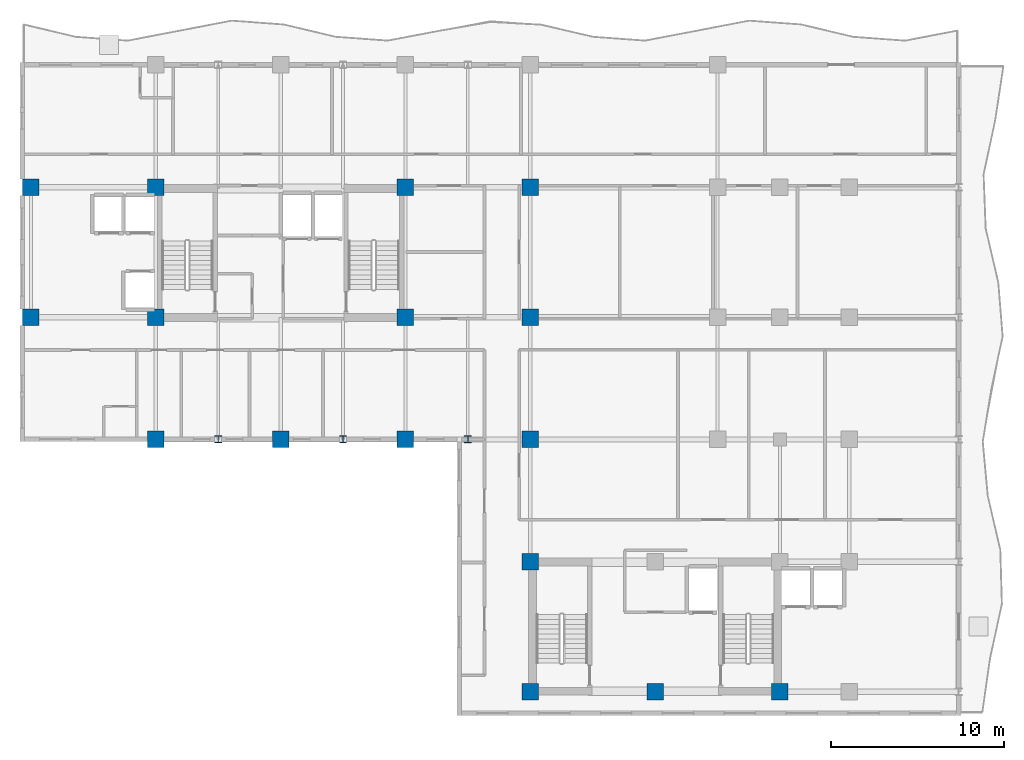
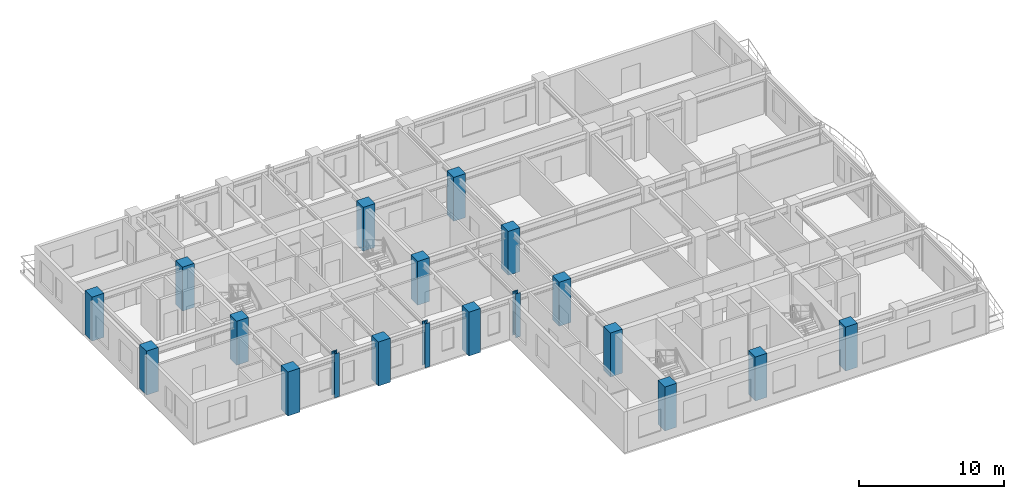
# One storey, part 1 of 13: 19 columns.
"""IFC4 building model written with IfcOpenShell, lengths in metres."""

from ifc_helpers import new_model, si_unit, direction, frame, origin, origin_2d, place, context, subcontext, project, spatial, rectangle, i_section, extrude, source, transform, mapped, material, material_profile, profile_set, type_object, element, save


model = new_model("IFC4")

# Units and contexts
model_context = context("Model", 3, precision=1e-05, world=origin(), true_north=direction((0.0, 1.0)))
body_context = subcontext(model_context, "Body", "Model", "MODEL_VIEW")
ifc_project = project(units=[si_unit("LENGTHUNIT", "METRE"), si_unit("AREAUNIT", "SQUARE_METRE"), si_unit("VOLUMEUNIT", "CUBIC_METRE"), si_unit("PLANEANGLEUNIT", "RADIAN"), si_unit("MASSUNIT", "GRAM", prefix="KILO")], contexts=[model_context])

# Site, building, storey
site_placement = place(None, origin())
site = spatial("IfcSite", under=ifc_project, at=site_placement, CompositionType="ELEMENT")
building_placement = place(site_placement, origin())
building = spatial("IfcBuilding", under=site, at=building_placement, Name="Kaliganga Portal Commons", CompositionType="ELEMENT")
storey_placement = place(building_placement, frame((0.0, 0.0, 209.199951171875)))
storey = spatial("IfcBuildingStorey", under=building, at=storey_placement, Name="L53", CompositionType="ELEMENT", Elevation=209.199951171875)

# Columns
ifc_material_1 = material(Name="Concrete C50/60", Category="concrete")
ifc_material_profile_1 = material_profile(ifc_material_1, rectangle(XDim=0.949951171875, YDim=0.949951171875, at=origin_2d()), Name="RC 950x950")
ifc_profile_set_1 = profile_set([ifc_material_profile_1], Name="Concrete C50/60")
column_type_1 = type_object("IfcColumnType", Name="COL-MEGA-Z4", PredefinedType="COLUMN", material=ifc_profile_set_1)
shared_shape_1 = source(origin(), body_context, "Body", "SweptSolid", [
    extrude(rectangle(XDim=0.949951171875, YDim=0.949951171875, at=origin_2d()), origin(), (0.0, 0.0, 1.0), 3.699951171875),
])
for number, where, z_axis, x_axis, name in (
    (1, (7.199951171875, 28.64990234375, 0.0), (0.0, 0.0, 1.0), (1.0, 0.0, 0.0), "Column MC-05 L53"),
    (2, (7.199951171875, 36.14990234375, 0.0), (0.0, 0.0, 1.0), (1.0, 0.0, 0.0), "Column MC-05 L53"),
    (3, (14.39990234375, 21.60009765625, 0.0), (0.0, 0.0, 1.0), (1.0, 0.0, 0.0), "Column MC-05 L53"),
    (4, (14.39990234375, 28.64990234375, 0.0), (0.0, 0.0, 1.0), (1.0, 0.0, 0.0), "Column MC-05 L53"),
    (5, (14.39990234375, 36.14990234375, 0.0), (0.0, 0.0, 1.0), (1.0, 0.0, 0.0), "Column MC-05 L53"),
    (6, (21.60009765625, 21.60009765625, 0.0), (0.0, 0.0, 1.0), (1.0, 0.0, 0.0), "Column MC-05 L53"),
    (7, (28.800048828125, 21.60009765625, 0.0), (0.0, 0.0, 1.0), (1.0, 0.0, 0.0), "Column MC-05 L53"),
    (8, (28.800048828125, 28.64990234375, 0.0), (0.0, 0.0, 1.0), (1.0, 0.0, 0.0), "Column MC-05 L53"),
    (9, (28.800048828125, 36.14990234375, 0.0), (0.0, 0.0, 1.0), (1.0, 0.0, 0.0), "Column MC-05 L53"),
    (10, (36.0, 21.60009765625, 0.0), (0.0, 0.0, 1.0), (1.0, 0.0, 0.0), "Column MC-05 L53"),
    (11, (36.0, 28.64990234375, 0.0), (0.0, 0.0, 1.0), (1.0, 0.0, 0.0), "Column MC-05 L53"),
    (12, (36.0, 36.14990234375, 0.0), (0.0, 0.0, 1.0), (1.0, 0.0, 0.0), "Column MC-05 L53"),
    (13, (36.0, 7.050048828125, 0.0), (0.0, 0.0, 1.0), (1.0, 0.0, 0.0), "Column MC-05 L53"),
    (14, (36.0, 14.550048828125, 0.0), (0.0, 0.0, 1.0), (1.0, 0.0, 0.0), "Column MC-05 L53"),
    (15, (43.199951171875, 7.050048828125, 0.0), (0.0, 0.0, 1.0), (1.0, 0.0, 0.0), "Column MC-05 L53"),
    (16, (50.39990234375, 7.050048828125, 0.0), (0.0, 0.0, 1.0), (1.0, 0.0, 0.0), "Column MC-05 L53"),
):
    element("IfcColumn", number, at=place(storey_placement, frame(where, z_axis=z_axis, x_axis=x_axis)), inside=storey, type_object=column_type_1, Name=name, PredefinedType="COLUMN", context=body_context, shape_type="MappedRepresentation", body=[
        mapped(shared_shape_1, transform((0.0, 0.0, 0.0), x_axis=(1.0, 0.0, 0.0), y_axis=(0.0, 1.0, 0.0), z_axis=(0.0, 0.0, 1.0), scale=1.0)),
    ])
ifc_material_2 = material(Name="Structural steel S355J2", Category="steel")
ifc_material_profile_2 = material_profile(ifc_material_2, i_section(OverallWidth=0.39892578125, OverallDepth=0.39990234375, WebThickness=0.017333984375, FlangeThickness=0.0234375, FilletRadius=0.014892578125, at=origin_2d()), Name="HD 400x287")
ifc_profile_set_2 = profile_set([ifc_material_profile_2], Name="Structural steel S355J2 wide-flange")
column_type_2 = type_object("IfcColumnType", Name="COL-TUBE-B4", PredefinedType="COLUMN", material=ifc_profile_set_2)
shared_shape_2 = source(origin(), body_context, "Body", "SweptSolid", [
    extrude(i_section(OverallWidth=0.39892578125, OverallDepth=0.39990234375, WebThickness=0.017333984375, FlangeThickness=0.0234375, FilletRadius=0.014892578125, at=origin_2d()), origin(), (0.0, 0.0, 1.0), 3.699951171875),
])
for number, where, z_axis, x_axis, name in (
    (17, (18.0, 21.60009765625, 0.0), (0.0, 0.0, 1.0), (1.0, 0.0, 0.0), "Column TC-04 L53"),
    (18, (25.199951171875, 21.60009765625, 0.0), (0.0, 0.0, 1.0), (1.0, 0.0, 0.0), "Column TC-04 L53"),
    (19, (32.39990234375, 21.60009765625, 0.0), (0.0, 0.0, 1.0), (1.0, 0.0, 0.0), "Column TC-04 L53"),
):
    element("IfcColumn", number, at=place(storey_placement, frame(where, z_axis=z_axis, x_axis=x_axis)), inside=storey, type_object=column_type_2, Name=name, PredefinedType="COLUMN", context=body_context, shape_type="MappedRepresentation", body=[
        mapped(shared_shape_2, transform((0.0, 0.0, 0.0), x_axis=(1.0, 0.0, 0.0), y_axis=(0.0, 1.0, 0.0), z_axis=(0.0, 0.0, 1.0), scale=1.0)),
    ])

save(model, "model.ifc")
